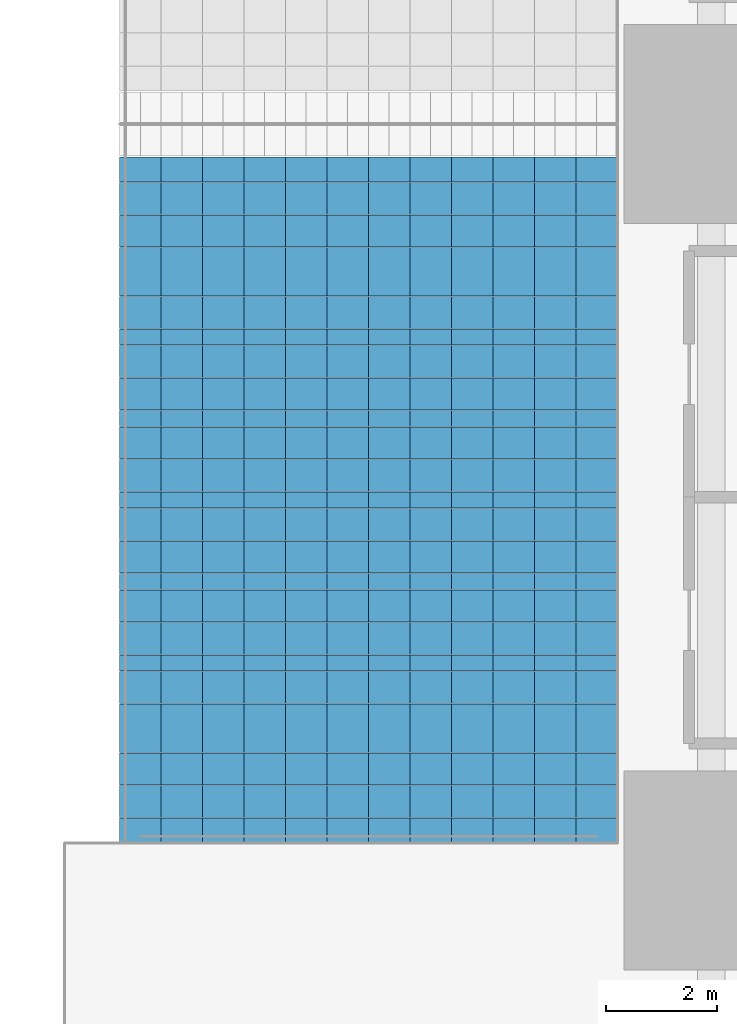
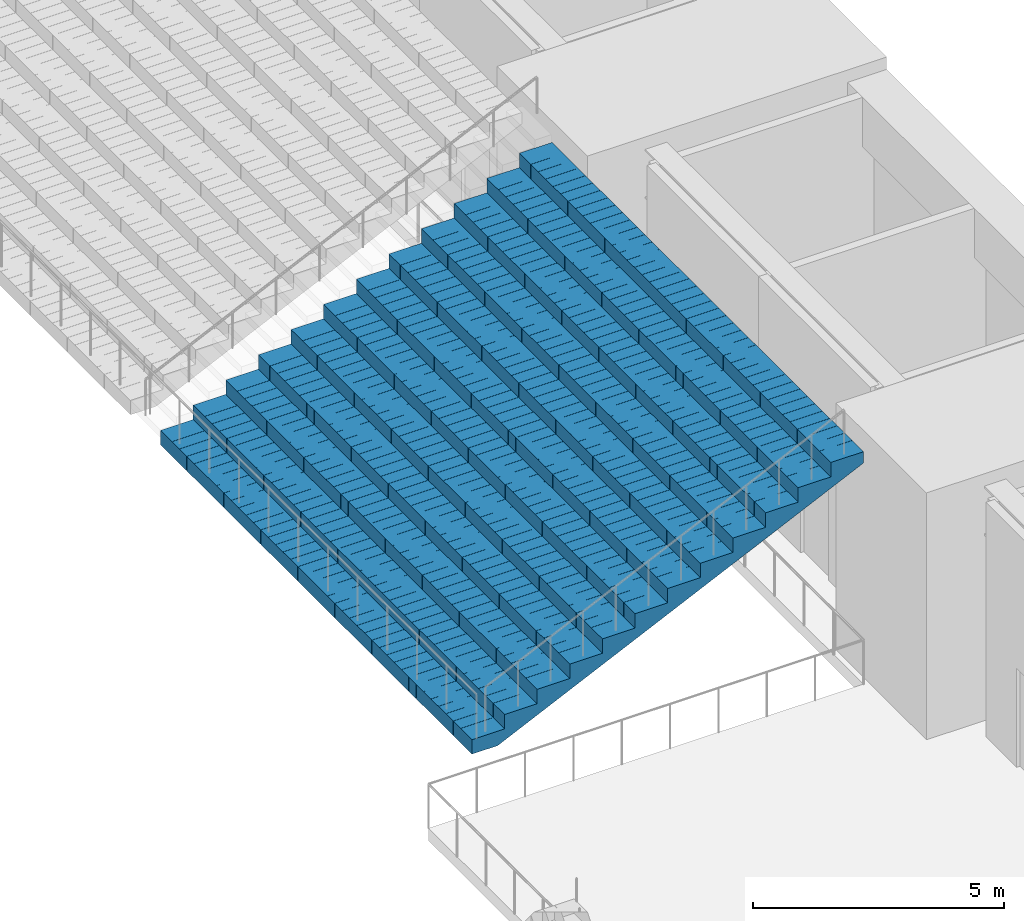
# One storey, part 24 of 61: 1 slab.
"""IFC4 building model written with IfcOpenShell, lengths in metres."""

from ifc_helpers import new_model, si_unit, direction, frame, origin, place, context, subcontext, project, spatial, polyline, outline, extrude, material, layer, layer_set, type_object, element, save


model = new_model("IFC4")

# Units and contexts
model_context = context("Model", 3, precision=1e-05, world=origin(), true_north=direction((0.0, 1.0)))
body_context = subcontext(model_context, "Body", "Model", "MODEL_VIEW")
ifc_project = project(units=[si_unit("LENGTHUNIT", "METRE"), si_unit("AREAUNIT", "SQUARE_METRE"), si_unit("VOLUMEUNIT", "CUBIC_METRE"), si_unit("PLANEANGLEUNIT", "RADIAN"), si_unit("MASSUNIT", "GRAM", prefix="KILO")], contexts=[model_context])

# Site, building, storey
site_placement = place(None, origin())
site = spatial("IfcSite", under=ifc_project, at=site_placement, CompositionType="ELEMENT")
building_placement = place(site_placement, origin())
building = spatial("IfcBuilding", under=site, at=building_placement, Name="Corbelhall Arena Tower", CompositionType="ELEMENT")
storey_placement = place(building_placement, frame((0.0, 0.0, 31.0)))
storey = spatial("IfcBuildingStorey", under=building, at=storey_placement, Name="L04", CompositionType="ELEMENT", Elevation=31.0)

# Slab
ifc_material = material(Name="Precast concrete C40/50", Category="concrete")
ifc_layer = layer(ifc_material, 0.25)
ifc_layer_set = layer_set([ifc_layer], Name="AR-TIER-RAKED")
slab_type = type_object("IfcSlabType", Name="AR-TIER-RAKED", PredefinedType="FLOOR", material=ifc_layer_set)
slab_placement = place(storey_placement, frame((32.0, -6.800048828125, 1.449951171875), z_axis=(0.0, 0.0, 1.0), x_axis=(1.0, 0.0, 0.0)))
element("IfcSlab", 1, at=slab_placement, inside=storey, type_object=slab_type, Name="Tier section UEA", PredefinedType="FLOOR", context=body_context, shape_type="SweptSolid", body=[
    extrude(outline(polyline([(0.0, 0.0), (0.0, 0.35009765625), (0.75, 0.35009765625), (0.75, 0.699951171875), (1.5, 0.699951171875), (1.5, 1.050048828125), (2.25, 1.050048828125), (2.25, 1.39990234375), (3.0, 1.39990234375), (3.0, 1.75), (3.75, 1.75), (3.75, 2.10009765625), (4.5, 2.10009765625), (4.5, 2.449951171875), (5.25, 2.449951171875), (5.25, 2.800048828125), (6.0, 2.800048828125), (6.0, 3.14990234375), (6.75, 3.14990234375), (6.75, 3.5), (7.5, 3.5), (7.5, 3.85009765625), (8.25, 3.85009765625), (8.25, 4.199951171875), (9.0, 4.199951171875), (9.0, 4.550048828125), (9.0, 3.924072265625), (0.591064453125, 0.0), (0.0, 0.0)])), frame((0.0, 6.199951171875, 0.0), z_axis=(0.0, -1.0, 0.0), x_axis=(1.0, 0.0, 0.0)), (0.0, 0.0, 1.0), 0.449951171875),
    extrude(outline(polyline([(0.0, 0.0), (0.0, 0.35009765625), (0.75, 0.35009765625), (0.75, 0.699951171875), (1.5, 0.699951171875), (1.5, 1.050048828125), (2.25, 1.050048828125), (2.25, 1.39990234375), (3.0, 1.39990234375), (3.0, 1.75), (3.75, 1.75), (3.75, 2.10009765625), (4.5, 2.10009765625), (4.5, 2.449951171875), (5.25, 2.449951171875), (5.25, 2.800048828125), (6.0, 2.800048828125), (6.0, 3.14990234375), (6.75, 3.14990234375), (6.75, 3.5), (7.5, 3.5), (7.5, 3.85009765625), (8.25, 3.85009765625), (8.25, 4.199951171875), (9.0, 4.199951171875), (9.0, 4.550048828125), (9.0, 3.924072265625), (0.591064453125, 0.0), (0.0, 0.0)])), frame((0.0, 5.745849609375, 0.0), z_axis=(0.0, -1.0, 0.0), x_axis=(1.0, 0.0, 0.0)), (0.0, 0.0, 1.0), 0.290771484375),
    extrude(outline(polyline([(0.0, 0.0), (0.0, 0.35009765625), (0.75, 0.35009765625), (0.75, 0.699951171875), (1.5, 0.699951171875), (1.5, 1.050048828125), (2.25, 1.050048828125), (2.25, 1.39990234375), (3.0, 1.39990234375), (3.0, 1.75), (3.75, 1.75), (3.75, 2.10009765625), (4.5, 2.10009765625), (4.5, 2.449951171875), (5.25, 2.449951171875), (5.25, 2.800048828125), (6.0, 2.800048828125), (6.0, 3.14990234375), (6.75, 3.14990234375), (6.75, 3.5), (7.5, 3.5), (7.5, 3.85009765625), (8.25, 3.85009765625), (8.25, 4.199951171875), (9.0, 4.199951171875), (9.0, 4.550048828125), (9.0, 3.924072265625), (0.591064453125, 0.0), (0.0, 0.0)])), frame((0.0, 5.451171875, 0.0), z_axis=(0.0, -1.0, 0.0), x_axis=(1.0, 0.0, 0.0)), (0.0, 0.0, 1.0), 0.290771484375),
    extrude(outline(polyline([(0.0, 0.0), (0.0, 0.35009765625), (0.75, 0.35009765625), (0.75, 0.699951171875), (1.5, 0.699951171875), (1.5, 1.050048828125), (2.25, 1.050048828125), (2.25, 1.39990234375), (3.0, 1.39990234375), (3.0, 1.75), (3.75, 1.75), (3.75, 2.10009765625), (4.5, 2.10009765625), (4.5, 2.449951171875), (5.25, 2.449951171875), (5.25, 2.800048828125), (6.0, 2.800048828125), (6.0, 3.14990234375), (6.75, 3.14990234375), (6.75, 3.5), (7.5, 3.5), (7.5, 3.85009765625), (8.25, 3.85009765625), (8.25, 4.199951171875), (9.0, 4.199951171875), (9.0, 4.550048828125), (9.0, 3.924072265625), (0.591064453125, 0.0), (0.0, 0.0)])), frame((0.0, 5.156494140625, 0.0), z_axis=(0.0, -1.0, 0.0), x_axis=(1.0, 0.0, 0.0)), (0.0, 0.0, 1.0), 0.290771484375),
    extrude(outline(polyline([(0.0, 0.0), (0.0, 0.35009765625), (0.75, 0.35009765625), (0.75, 0.699951171875), (1.5, 0.699951171875), (1.5, 1.050048828125), (2.25, 1.050048828125), (2.25, 1.39990234375), (3.0, 1.39990234375), (3.0, 1.75), (3.75, 1.75), (3.75, 2.10009765625), (4.5, 2.10009765625), (4.5, 2.449951171875), (5.25, 2.449951171875), (5.25, 2.800048828125), (6.0, 2.800048828125), (6.0, 3.14990234375), (6.75, 3.14990234375), (6.75, 3.5), (7.5, 3.5), (7.5, 3.85009765625), (8.25, 3.85009765625), (8.25, 4.199951171875), (9.0, 4.199951171875), (9.0, 4.550048828125), (9.0, 3.924072265625), (0.591064453125, 0.0), (0.0, 0.0)])), frame((0.0, 4.861572265625, 0.0), z_axis=(0.0, -1.0, 0.0), x_axis=(1.0, 0.0, 0.0)), (0.0, 0.0, 1.0), 0.290771484375),
    extrude(outline(polyline([(0.0, 0.0), (0.0, 0.35009765625), (0.75, 0.35009765625), (0.75, 0.699951171875), (1.5, 0.699951171875), (1.5, 1.050048828125), (2.25, 1.050048828125), (2.25, 1.39990234375), (3.0, 1.39990234375), (3.0, 1.75), (3.75, 1.75), (3.75, 2.10009765625), (4.5, 2.10009765625), (4.5, 2.449951171875), (5.25, 2.449951171875), (5.25, 2.800048828125), (6.0, 2.800048828125), (6.0, 3.14990234375), (6.75, 3.14990234375), (6.75, 3.5), (7.5, 3.5), (7.5, 3.85009765625), (8.25, 3.85009765625), (8.25, 4.199951171875), (9.0, 4.199951171875), (9.0, 4.550048828125), (9.0, 3.924072265625), (0.591064453125, 0.0), (0.0, 0.0)])), frame((0.0, 4.56689453125, 0.0), z_axis=(0.0, -1.0, 0.0), x_axis=(1.0, 0.0, 0.0)), (0.0, 0.0, 1.0), 0.290771484375),
    extrude(outline(polyline([(0.0, 0.0), (0.0, 0.35009765625), (0.75, 0.35009765625), (0.75, 0.699951171875), (1.5, 0.699951171875), (1.5, 1.050048828125), (2.25, 1.050048828125), (2.25, 1.39990234375), (3.0, 1.39990234375), (3.0, 1.75), (3.75, 1.75), (3.75, 2.10009765625), (4.5, 2.10009765625), (4.5, 2.449951171875), (5.25, 2.449951171875), (5.25, 2.800048828125), (6.0, 2.800048828125), (6.0, 3.14990234375), (6.75, 3.14990234375), (6.75, 3.5), (7.5, 3.5), (7.5, 3.85009765625), (8.25, 3.85009765625), (8.25, 4.199951171875), (9.0, 4.199951171875), (9.0, 4.550048828125), (9.0, 3.924072265625), (0.591064453125, 0.0), (0.0, 0.0)])), frame((0.0, 4.272216796875, 0.0), z_axis=(0.0, -1.0, 0.0), x_axis=(1.0, 0.0, 0.0)), (0.0, 0.0, 1.0), 0.290771484375),
    extrude(outline(polyline([(0.0, 0.0), (0.0, 0.35009765625), (0.75, 0.35009765625), (0.75, 0.699951171875), (1.5, 0.699951171875), (1.5, 1.050048828125), (2.25, 1.050048828125), (2.25, 1.39990234375), (3.0, 1.39990234375), (3.0, 1.75), (3.75, 1.75), (3.75, 2.10009765625), (4.5, 2.10009765625), (4.5, 2.449951171875), (5.25, 2.449951171875), (5.25, 2.800048828125), (6.0, 2.800048828125), (6.0, 3.14990234375), (6.75, 3.14990234375), (6.75, 3.5), (7.5, 3.5), (7.5, 3.85009765625), (8.25, 3.85009765625), (8.25, 4.199951171875), (9.0, 4.199951171875), (9.0, 4.550048828125), (9.0, 3.924072265625), (0.591064453125, 0.0), (0.0, 0.0)])), frame((0.0, 3.977294921875, 0.0), z_axis=(0.0, -1.0, 0.0), x_axis=(1.0, 0.0, 0.0)), (0.0, 0.0, 1.0), 0.290771484375),
    extrude(outline(polyline([(0.0, 0.0), (0.0, 0.35009765625), (0.75, 0.35009765625), (0.75, 0.699951171875), (1.5, 0.699951171875), (1.5, 1.050048828125), (2.25, 1.050048828125), (2.25, 1.39990234375), (3.0, 1.39990234375), (3.0, 1.75), (3.75, 1.75), (3.75, 2.10009765625), (4.5, 2.10009765625), (4.5, 2.449951171875), (5.25, 2.449951171875), (5.25, 2.800048828125), (6.0, 2.800048828125), (6.0, 3.14990234375), (6.75, 3.14990234375), (6.75, 3.5), (7.5, 3.5), (7.5, 3.85009765625), (8.25, 3.85009765625), (8.25, 4.199951171875), (9.0, 4.199951171875), (9.0, 4.550048828125), (9.0, 3.924072265625), (0.591064453125, 0.0), (0.0, 0.0)])), frame((0.0, 3.6826171875, 0.0), z_axis=(0.0, -1.0, 0.0), x_axis=(1.0, 0.0, 0.0)), (0.0, 0.0, 1.0), 0.290771484375),
    extrude(outline(polyline([(0.0, 0.0), (0.0, 0.35009765625), (0.75, 0.35009765625), (0.75, 0.699951171875), (1.5, 0.699951171875), (1.5, 1.050048828125), (2.25, 1.050048828125), (2.25, 1.39990234375), (3.0, 1.39990234375), (3.0, 1.75), (3.75, 1.75), (3.75, 2.10009765625), (4.5, 2.10009765625), (4.5, 2.449951171875), (5.25, 2.449951171875), (5.25, 2.800048828125), (6.0, 2.800048828125), (6.0, 3.14990234375), (6.75, 3.14990234375), (6.75, 3.5), (7.5, 3.5), (7.5, 3.85009765625), (8.25, 3.85009765625), (8.25, 4.199951171875), (9.0, 4.199951171875), (9.0, 4.550048828125), (9.0, 3.924072265625), (0.591064453125, 0.0), (0.0, 0.0)])), frame((0.0, 3.3876953125, 0.0), z_axis=(0.0, -1.0, 0.0), x_axis=(1.0, 0.0, 0.0)), (0.0, 0.0, 1.0), 0.290771484375),
    extrude(outline(polyline([(0.0, 0.0), (0.0, 0.35009765625), (0.75, 0.35009765625), (0.75, 0.699951171875), (1.5, 0.699951171875), (1.5, 1.050048828125), (2.25, 1.050048828125), (2.25, 1.39990234375), (3.0, 1.39990234375), (3.0, 1.75), (3.75, 1.75), (3.75, 2.10009765625), (4.5, 2.10009765625), (4.5, 2.449951171875), (5.25, 2.449951171875), (5.25, 2.800048828125), (6.0, 2.800048828125), (6.0, 3.14990234375), (6.75, 3.14990234375), (6.75, 3.5), (7.5, 3.5), (7.5, 3.85009765625), (8.25, 3.85009765625), (8.25, 4.199951171875), (9.0, 4.199951171875), (9.0, 4.550048828125), (9.0, 3.924072265625), (0.591064453125, 0.0), (0.0, 0.0)])), frame((0.0, 3.093017578125, 0.0), z_axis=(0.0, -1.0, 0.0), x_axis=(1.0, 0.0, 0.0)), (0.0, 0.0, 1.0), 0.290771484375),
    extrude(outline(polyline([(0.0, 0.0), (0.0, 0.35009765625), (0.75, 0.35009765625), (0.75, 0.699951171875), (1.5, 0.699951171875), (1.5, 1.050048828125), (2.25, 1.050048828125), (2.25, 1.39990234375), (3.0, 1.39990234375), (3.0, 1.75), (3.75, 1.75), (3.75, 2.10009765625), (4.5, 2.10009765625), (4.5, 2.449951171875), (5.25, 2.449951171875), (5.25, 2.800048828125), (6.0, 2.800048828125), (6.0, 3.14990234375), (6.75, 3.14990234375), (6.75, 3.5), (7.5, 3.5), (7.5, 3.85009765625), (8.25, 3.85009765625), (8.25, 4.199951171875), (9.0, 4.199951171875), (9.0, 4.550048828125), (9.0, 3.924072265625), (0.591064453125, 0.0), (0.0, 0.0)])), frame((0.0, 2.79833984375, 0.0), z_axis=(0.0, -1.0, 0.0), x_axis=(1.0, 0.0, 0.0)), (0.0, 0.0, 1.0), 0.290771484375),
    extrude(outline(polyline([(0.0, 0.0), (0.0, 0.35009765625), (0.75, 0.35009765625), (0.75, 0.699951171875), (1.5, 0.699951171875), (1.5, 1.050048828125), (2.25, 1.050048828125), (2.25, 1.39990234375), (3.0, 1.39990234375), (3.0, 1.75), (3.75, 1.75), (3.75, 2.10009765625), (4.5, 2.10009765625), (4.5, 2.449951171875), (5.25, 2.449951171875), (5.25, 2.800048828125), (6.0, 2.800048828125), (6.0, 3.14990234375), (6.75, 3.14990234375), (6.75, 3.5), (7.5, 3.5), (7.5, 3.85009765625), (8.25, 3.85009765625), (8.25, 4.199951171875), (9.0, 4.199951171875), (9.0, 4.550048828125), (9.0, 3.924072265625), (0.591064453125, 0.0), (0.0, 0.0)])), frame((0.0, 2.50341796875, 0.0), z_axis=(0.0, -1.0, 0.0), x_axis=(1.0, 0.0, 0.0)), (0.0, 0.0, 1.0), 0.290771484375),
    extrude(outline(polyline([(0.0, 0.0), (0.0, 0.35009765625), (0.75, 0.35009765625), (0.75, 0.699951171875), (1.5, 0.699951171875), (1.5, 1.050048828125), (2.25, 1.050048828125), (2.25, 1.39990234375), (3.0, 1.39990234375), (3.0, 1.75), (3.75, 1.75), (3.75, 2.10009765625), (4.5, 2.10009765625), (4.5, 2.449951171875), (5.25, 2.449951171875), (5.25, 2.800048828125), (6.0, 2.800048828125), (6.0, 3.14990234375), (6.75, 3.14990234375), (6.75, 3.5), (7.5, 3.5), (7.5, 3.85009765625), (8.25, 3.85009765625), (8.25, 4.199951171875), (9.0, 4.199951171875), (9.0, 4.550048828125), (9.0, 3.924072265625), (0.591064453125, 0.0), (0.0, 0.0)])), frame((0.0, 2.208740234375, 0.0), z_axis=(0.0, -1.0, 0.0), x_axis=(1.0, 0.0, 0.0)), (0.0, 0.0, 1.0), 0.290771484375),
    extrude(outline(polyline([(0.0, 0.0), (0.0, 0.35009765625), (0.75, 0.35009765625), (0.75, 0.699951171875), (1.5, 0.699951171875), (1.5, 1.050048828125), (2.25, 1.050048828125), (2.25, 1.39990234375), (3.0, 1.39990234375), (3.0, 1.75), (3.75, 1.75), (3.75, 2.10009765625), (4.5, 2.10009765625), (4.5, 2.449951171875), (5.25, 2.449951171875), (5.25, 2.800048828125), (6.0, 2.800048828125), (6.0, 3.14990234375), (6.75, 3.14990234375), (6.75, 3.5), (7.5, 3.5), (7.5, 3.85009765625), (8.25, 3.85009765625), (8.25, 4.199951171875), (9.0, 4.199951171875), (9.0, 4.550048828125), (9.0, 3.924072265625), (0.591064453125, 0.0), (0.0, 0.0)])), frame((0.0, 1.9140625, 0.0), z_axis=(0.0, -1.0, 0.0), x_axis=(1.0, 0.0, 0.0)), (0.0, 0.0, 1.0), 0.290771484375),
    extrude(outline(polyline([(0.0, 0.0), (0.0, 0.35009765625), (0.75, 0.35009765625), (0.75, 0.699951171875), (1.5, 0.699951171875), (1.5, 1.050048828125), (2.25, 1.050048828125), (2.25, 1.39990234375), (3.0, 1.39990234375), (3.0, 1.75), (3.75, 1.75), (3.75, 2.10009765625), (4.5, 2.10009765625), (4.5, 2.449951171875), (5.25, 2.449951171875), (5.25, 2.800048828125), (6.0, 2.800048828125), (6.0, 3.14990234375), (6.75, 3.14990234375), (6.75, 3.5), (7.5, 3.5), (7.5, 3.85009765625), (8.25, 3.85009765625), (8.25, 4.199951171875), (9.0, 4.199951171875), (9.0, 4.550048828125), (9.0, 3.924072265625), (0.591064453125, 0.0), (0.0, 0.0)])), frame((0.0, 1.619140625, 0.0), z_axis=(0.0, -1.0, 0.0), x_axis=(1.0, 0.0, 0.0)), (0.0, 0.0, 1.0), 0.290771484375),
    extrude(outline(polyline([(0.0, 0.0), (0.0, 0.35009765625), (0.75, 0.35009765625), (0.75, 0.699951171875), (1.5, 0.699951171875), (1.5, 1.050048828125), (2.25, 1.050048828125), (2.25, 1.39990234375), (3.0, 1.39990234375), (3.0, 1.75), (3.75, 1.75), (3.75, 2.10009765625), (4.5, 2.10009765625), (4.5, 2.449951171875), (5.25, 2.449951171875), (5.25, 2.800048828125), (6.0, 2.800048828125), (6.0, 3.14990234375), (6.75, 3.14990234375), (6.75, 3.5), (7.5, 3.5), (7.5, 3.85009765625), (8.25, 3.85009765625), (8.25, 4.199951171875), (9.0, 4.199951171875), (9.0, 4.550048828125), (9.0, 3.924072265625), (0.591064453125, 0.0), (0.0, 0.0)])), frame((0.0, 1.324462890625, 0.0), z_axis=(0.0, -1.0, 0.0), x_axis=(1.0, 0.0, 0.0)), (0.0, 0.0, 1.0), 0.290771484375),
    extrude(outline(polyline([(0.0, 0.0), (0.0, 0.35009765625), (0.75, 0.35009765625), (0.75, 0.699951171875), (1.5, 0.699951171875), (1.5, 1.050048828125), (2.25, 1.050048828125), (2.25, 1.39990234375), (3.0, 1.39990234375), (3.0, 1.75), (3.75, 1.75), (3.75, 2.10009765625), (4.5, 2.10009765625), (4.5, 2.449951171875), (5.25, 2.449951171875), (5.25, 2.800048828125), (6.0, 2.800048828125), (6.0, 3.14990234375), (6.75, 3.14990234375), (6.75, 3.5), (7.5, 3.5), (7.5, 3.85009765625), (8.25, 3.85009765625), (8.25, 4.199951171875), (9.0, 4.199951171875), (9.0, 4.550048828125), (9.0, 3.924072265625), (0.591064453125, 0.0), (0.0, 0.0)])), frame((0.0, 1.02978515625, 0.0), z_axis=(0.0, -1.0, 0.0), x_axis=(1.0, 0.0, 0.0)), (0.0, 0.0, 1.0), 0.290771484375),
    extrude(outline(polyline([(0.0, 0.0), (0.0, 0.35009765625), (0.75, 0.35009765625), (0.75, 0.699951171875), (1.5, 0.699951171875), (1.5, 1.050048828125), (2.25, 1.050048828125), (2.25, 1.39990234375), (3.0, 1.39990234375), (3.0, 1.75), (3.75, 1.75), (3.75, 2.10009765625), (4.5, 2.10009765625), (4.5, 2.449951171875), (5.25, 2.449951171875), (5.25, 2.800048828125), (6.0, 2.800048828125), (6.0, 3.14990234375), (6.75, 3.14990234375), (6.75, 3.5), (7.5, 3.5), (7.5, 3.85009765625), (8.25, 3.85009765625), (8.25, 4.199951171875), (9.0, 4.199951171875), (9.0, 4.550048828125), (9.0, 3.924072265625), (0.591064453125, 0.0), (0.0, 0.0)])), frame((0.0, 0.73486328125, 0.0), z_axis=(0.0, -1.0, 0.0), x_axis=(1.0, 0.0, 0.0)), (0.0, 0.0, 1.0), 0.290771484375),
    extrude(outline(polyline([(0.0, 0.0), (0.0, 0.35009765625), (0.75, 0.35009765625), (0.75, 0.699951171875), (1.5, 0.699951171875), (1.5, 1.050048828125), (2.25, 1.050048828125), (2.25, 1.39990234375), (3.0, 1.39990234375), (3.0, 1.75), (3.75, 1.75), (3.75, 2.10009765625), (4.5, 2.10009765625), (4.5, 2.449951171875), (5.25, 2.449951171875), (5.25, 2.800048828125), (6.0, 2.800048828125), (6.0, 3.14990234375), (6.75, 3.14990234375), (6.75, 3.5), (7.5, 3.5), (7.5, 3.85009765625), (8.25, 3.85009765625), (8.25, 4.199951171875), (9.0, 4.199951171875), (9.0, 4.550048828125), (9.0, 3.924072265625), (0.591064453125, 0.0), (0.0, 0.0)])), frame((0.0, 0.440185546875, 0.0), z_axis=(0.0, -1.0, 0.0), x_axis=(1.0, 0.0, 0.0)), (0.0, 0.0, 1.0), 0.290771484375),
    extrude(outline(polyline([(0.0, 0.0), (0.0, 0.35009765625), (0.75, 0.35009765625), (0.75, 0.699951171875), (1.5, 0.699951171875), (1.5, 1.050048828125), (2.25, 1.050048828125), (2.25, 1.39990234375), (3.0, 1.39990234375), (3.0, 1.75), (3.75, 1.75), (3.75, 2.10009765625), (4.5, 2.10009765625), (4.5, 2.449951171875), (5.25, 2.449951171875), (5.25, 2.800048828125), (6.0, 2.800048828125), (6.0, 3.14990234375), (6.75, 3.14990234375), (6.75, 3.5), (7.5, 3.5), (7.5, 3.85009765625), (8.25, 3.85009765625), (8.25, 4.199951171875), (9.0, 4.199951171875), (9.0, 4.550048828125), (9.0, 3.924072265625), (0.591064453125, 0.0), (0.0, 0.0)])), frame((0.0, 0.145263671875, 0.0), z_axis=(0.0, -1.0, 0.0), x_axis=(1.0, 0.0, 0.0)), (0.0, 0.0, 1.0), 0.290771484375),
    extrude(outline(polyline([(0.0, 0.0), (0.0, 0.35009765625), (0.75, 0.35009765625), (0.75, 0.699951171875), (1.5, 0.699951171875), (1.5, 1.050048828125), (2.25, 1.050048828125), (2.25, 1.39990234375), (3.0, 1.39990234375), (3.0, 1.75), (3.75, 1.75), (3.75, 2.10009765625), (4.5, 2.10009765625), (4.5, 2.449951171875), (5.25, 2.449951171875), (5.25, 2.800048828125), (6.0, 2.800048828125), (6.0, 3.14990234375), (6.75, 3.14990234375), (6.75, 3.5), (7.5, 3.5), (7.5, 3.85009765625), (8.25, 3.85009765625), (8.25, 4.199951171875), (9.0, 4.199951171875), (9.0, 4.550048828125), (9.0, 3.924072265625), (0.591064453125, 0.0), (0.0, 0.0)])), frame((0.0, -0.1494140625, 0.0), z_axis=(0.0, -1.0, 0.0), x_axis=(1.0, 0.0, 0.0)), (0.0, 0.0, 1.0), 0.290771484375),
    extrude(outline(polyline([(0.0, 0.0), (0.0, 0.35009765625), (0.75, 0.35009765625), (0.75, 0.699951171875), (1.5, 0.699951171875), (1.5, 1.050048828125), (2.25, 1.050048828125), (2.25, 1.39990234375), (3.0, 1.39990234375), (3.0, 1.75), (3.75, 1.75), (3.75, 2.10009765625), (4.5, 2.10009765625), (4.5, 2.449951171875), (5.25, 2.449951171875), (5.25, 2.800048828125), (6.0, 2.800048828125), (6.0, 3.14990234375), (6.75, 3.14990234375), (6.75, 3.5), (7.5, 3.5), (7.5, 3.85009765625), (8.25, 3.85009765625), (8.25, 4.199951171875), (9.0, 4.199951171875), (9.0, 4.550048828125), (9.0, 3.924072265625), (0.591064453125, 0.0), (0.0, 0.0)])), frame((0.0, -0.444091796875, 0.0), z_axis=(0.0, -1.0, 0.0), x_axis=(1.0, 0.0, 0.0)), (0.0, 0.0, 1.0), 0.290771484375),
    extrude(outline(polyline([(0.0, 0.0), (0.0, 0.35009765625), (0.75, 0.35009765625), (0.75, 0.699951171875), (1.5, 0.699951171875), (1.5, 1.050048828125), (2.25, 1.050048828125), (2.25, 1.39990234375), (3.0, 1.39990234375), (3.0, 1.75), (3.75, 1.75), (3.75, 2.10009765625), (4.5, 2.10009765625), (4.5, 2.449951171875), (5.25, 2.449951171875), (5.25, 2.800048828125), (6.0, 2.800048828125), (6.0, 3.14990234375), (6.75, 3.14990234375), (6.75, 3.5), (7.5, 3.5), (7.5, 3.85009765625), (8.25, 3.85009765625), (8.25, 4.199951171875), (9.0, 4.199951171875), (9.0, 4.550048828125), (9.0, 3.924072265625), (0.591064453125, 0.0), (0.0, 0.0)])), frame((0.0, -0.739013671875, 0.0), z_axis=(0.0, -1.0, 0.0), x_axis=(1.0, 0.0, 0.0)), (0.0, 0.0, 1.0), 0.290771484375),
    extrude(outline(polyline([(0.0, 0.0), (0.0, 0.35009765625), (0.75, 0.35009765625), (0.75, 0.699951171875), (1.5, 0.699951171875), (1.5, 1.050048828125), (2.25, 1.050048828125), (2.25, 1.39990234375), (3.0, 1.39990234375), (3.0, 1.75), (3.75, 1.75), (3.75, 2.10009765625), (4.5, 2.10009765625), (4.5, 2.449951171875), (5.25, 2.449951171875), (5.25, 2.800048828125), (6.0, 2.800048828125), (6.0, 3.14990234375), (6.75, 3.14990234375), (6.75, 3.5), (7.5, 3.5), (7.5, 3.85009765625), (8.25, 3.85009765625), (8.25, 4.199951171875), (9.0, 4.199951171875), (9.0, 4.550048828125), (9.0, 3.924072265625), (0.591064453125, 0.0), (0.0, 0.0)])), frame((0.0, -1.03369140625, 0.0), z_axis=(0.0, -1.0, 0.0), x_axis=(1.0, 0.0, 0.0)), (0.0, 0.0, 1.0), 0.290771484375),
    extrude(outline(polyline([(0.0, 0.0), (0.0, 0.35009765625), (0.75, 0.35009765625), (0.75, 0.699951171875), (1.5, 0.699951171875), (1.5, 1.050048828125), (2.25, 1.050048828125), (2.25, 1.39990234375), (3.0, 1.39990234375), (3.0, 1.75), (3.75, 1.75), (3.75, 2.10009765625), (4.5, 2.10009765625), (4.5, 2.449951171875), (5.25, 2.449951171875), (5.25, 2.800048828125), (6.0, 2.800048828125), (6.0, 3.14990234375), (6.75, 3.14990234375), (6.75, 3.5), (7.5, 3.5), (7.5, 3.85009765625), (8.25, 3.85009765625), (8.25, 4.199951171875), (9.0, 4.199951171875), (9.0, 4.550048828125), (9.0, 3.924072265625), (0.591064453125, 0.0), (0.0, 0.0)])), frame((0.0, -1.328369140625, 0.0), z_axis=(0.0, -1.0, 0.0), x_axis=(1.0, 0.0, 0.0)), (0.0, 0.0, 1.0), 0.290771484375),
    extrude(outline(polyline([(0.0, 0.0), (0.0, 0.35009765625), (0.75, 0.35009765625), (0.75, 0.699951171875), (1.5, 0.699951171875), (1.5, 1.050048828125), (2.25, 1.050048828125), (2.25, 1.39990234375), (3.0, 1.39990234375), (3.0, 1.75), (3.75, 1.75), (3.75, 2.10009765625), (4.5, 2.10009765625), (4.5, 2.449951171875), (5.25, 2.449951171875), (5.25, 2.800048828125), (6.0, 2.800048828125), (6.0, 3.14990234375), (6.75, 3.14990234375), (6.75, 3.5), (7.5, 3.5), (7.5, 3.85009765625), (8.25, 3.85009765625), (8.25, 4.199951171875), (9.0, 4.199951171875), (9.0, 4.550048828125), (9.0, 3.924072265625), (0.591064453125, 0.0), (0.0, 0.0)])), frame((0.0, -1.623291015625, 0.0), z_axis=(0.0, -1.0, 0.0), x_axis=(1.0, 0.0, 0.0)), (0.0, 0.0, 1.0), 0.290771484375),
    extrude(outline(polyline([(0.0, 0.0), (0.0, 0.35009765625), (0.75, 0.35009765625), (0.75, 0.699951171875), (1.5, 0.699951171875), (1.5, 1.050048828125), (2.25, 1.050048828125), (2.25, 1.39990234375), (3.0, 1.39990234375), (3.0, 1.75), (3.75, 1.75), (3.75, 2.10009765625), (4.5, 2.10009765625), (4.5, 2.449951171875), (5.25, 2.449951171875), (5.25, 2.800048828125), (6.0, 2.800048828125), (6.0, 3.14990234375), (6.75, 3.14990234375), (6.75, 3.5), (7.5, 3.5), (7.5, 3.85009765625), (8.25, 3.85009765625), (8.25, 4.199951171875), (9.0, 4.199951171875), (9.0, 4.550048828125), (9.0, 3.924072265625), (0.591064453125, 0.0), (0.0, 0.0)])), frame((0.0, -1.91796875, 0.0), z_axis=(0.0, -1.0, 0.0), x_axis=(1.0, 0.0, 0.0)), (0.0, 0.0, 1.0), 0.290771484375),
    extrude(outline(polyline([(0.0, 0.0), (0.0, 0.35009765625), (0.75, 0.35009765625), (0.75, 0.699951171875), (1.5, 0.699951171875), (1.5, 1.050048828125), (2.25, 1.050048828125), (2.25, 1.39990234375), (3.0, 1.39990234375), (3.0, 1.75), (3.75, 1.75), (3.75, 2.10009765625), (4.5, 2.10009765625), (4.5, 2.449951171875), (5.25, 2.449951171875), (5.25, 2.800048828125), (6.0, 2.800048828125), (6.0, 3.14990234375), (6.75, 3.14990234375), (6.75, 3.5), (7.5, 3.5), (7.5, 3.85009765625), (8.25, 3.85009765625), (8.25, 4.199951171875), (9.0, 4.199951171875), (9.0, 4.550048828125), (9.0, 3.924072265625), (0.591064453125, 0.0), (0.0, 0.0)])), frame((0.0, -2.212646484375, 0.0), z_axis=(0.0, -1.0, 0.0), x_axis=(1.0, 0.0, 0.0)), (0.0, 0.0, 1.0), 0.290771484375),
    extrude(outline(polyline([(0.0, 0.0), (0.0, 0.35009765625), (0.75, 0.35009765625), (0.75, 0.699951171875), (1.5, 0.699951171875), (1.5, 1.050048828125), (2.25, 1.050048828125), (2.25, 1.39990234375), (3.0, 1.39990234375), (3.0, 1.75), (3.75, 1.75), (3.75, 2.10009765625), (4.5, 2.10009765625), (4.5, 2.449951171875), (5.25, 2.449951171875), (5.25, 2.800048828125), (6.0, 2.800048828125), (6.0, 3.14990234375), (6.75, 3.14990234375), (6.75, 3.5), (7.5, 3.5), (7.5, 3.85009765625), (8.25, 3.85009765625), (8.25, 4.199951171875), (9.0, 4.199951171875), (9.0, 4.550048828125), (9.0, 3.924072265625), (0.591064453125, 0.0), (0.0, 0.0)])), frame((0.0, -2.507568359375, 0.0), z_axis=(0.0, -1.0, 0.0), x_axis=(1.0, 0.0, 0.0)), (0.0, 0.0, 1.0), 0.290771484375),
    extrude(outline(polyline([(0.0, 0.0), (0.0, 0.35009765625), (0.75, 0.35009765625), (0.75, 0.699951171875), (1.5, 0.699951171875), (1.5, 1.050048828125), (2.25, 1.050048828125), (2.25, 1.39990234375), (3.0, 1.39990234375), (3.0, 1.75), (3.75, 1.75), (3.75, 2.10009765625), (4.5, 2.10009765625), (4.5, 2.449951171875), (5.25, 2.449951171875), (5.25, 2.800048828125), (6.0, 2.800048828125), (6.0, 3.14990234375), (6.75, 3.14990234375), (6.75, 3.5), (7.5, 3.5), (7.5, 3.85009765625), (8.25, 3.85009765625), (8.25, 4.199951171875), (9.0, 4.199951171875), (9.0, 4.550048828125), (9.0, 3.924072265625), (0.591064453125, 0.0), (0.0, 0.0)])), frame((0.0, -2.80224609375, 0.0), z_axis=(0.0, -1.0, 0.0), x_axis=(1.0, 0.0, 0.0)), (0.0, 0.0, 1.0), 0.290771484375),
    extrude(outline(polyline([(0.0, 0.0), (0.0, 0.35009765625), (0.75, 0.35009765625), (0.75, 0.699951171875), (1.5, 0.699951171875), (1.5, 1.050048828125), (2.25, 1.050048828125), (2.25, 1.39990234375), (3.0, 1.39990234375), (3.0, 1.75), (3.75, 1.75), (3.75, 2.10009765625), (4.5, 2.10009765625), (4.5, 2.449951171875), (5.25, 2.449951171875), (5.25, 2.800048828125), (6.0, 2.800048828125), (6.0, 3.14990234375), (6.75, 3.14990234375), (6.75, 3.5), (7.5, 3.5), (7.5, 3.85009765625), (8.25, 3.85009765625), (8.25, 4.199951171875), (9.0, 4.199951171875), (9.0, 4.550048828125), (9.0, 3.924072265625), (0.591064453125, 0.0), (0.0, 0.0)])), frame((0.0, -3.09716796875, 0.0), z_axis=(0.0, -1.0, 0.0), x_axis=(1.0, 0.0, 0.0)), (0.0, 0.0, 1.0), 0.290771484375),
    extrude(outline(polyline([(0.0, 0.0), (0.0, 0.35009765625), (0.75, 0.35009765625), (0.75, 0.699951171875), (1.5, 0.699951171875), (1.5, 1.050048828125), (2.25, 1.050048828125), (2.25, 1.39990234375), (3.0, 1.39990234375), (3.0, 1.75), (3.75, 1.75), (3.75, 2.10009765625), (4.5, 2.10009765625), (4.5, 2.449951171875), (5.25, 2.449951171875), (5.25, 2.800048828125), (6.0, 2.800048828125), (6.0, 3.14990234375), (6.75, 3.14990234375), (6.75, 3.5), (7.5, 3.5), (7.5, 3.85009765625), (8.25, 3.85009765625), (8.25, 4.199951171875), (9.0, 4.199951171875), (9.0, 4.550048828125), (9.0, 3.924072265625), (0.591064453125, 0.0), (0.0, 0.0)])), frame((0.0, -3.391845703125, 0.0), z_axis=(0.0, -1.0, 0.0), x_axis=(1.0, 0.0, 0.0)), (0.0, 0.0, 1.0), 0.290771484375),
    extrude(outline(polyline([(0.0, 0.0), (0.0, 0.35009765625), (0.75, 0.35009765625), (0.75, 0.699951171875), (1.5, 0.699951171875), (1.5, 1.050048828125), (2.25, 1.050048828125), (2.25, 1.39990234375), (3.0, 1.39990234375), (3.0, 1.75), (3.75, 1.75), (3.75, 2.10009765625), (4.5, 2.10009765625), (4.5, 2.449951171875), (5.25, 2.449951171875), (5.25, 2.800048828125), (6.0, 2.800048828125), (6.0, 3.14990234375), (6.75, 3.14990234375), (6.75, 3.5), (7.5, 3.5), (7.5, 3.85009765625), (8.25, 3.85009765625), (8.25, 4.199951171875), (9.0, 4.199951171875), (9.0, 4.550048828125), (9.0, 3.924072265625), (0.591064453125, 0.0), (0.0, 0.0)])), frame((0.0, -3.6865234375, 0.0), z_axis=(0.0, -1.0, 0.0), x_axis=(1.0, 0.0, 0.0)), (0.0, 0.0, 1.0), 0.290771484375),
    extrude(outline(polyline([(0.0, 0.0), (0.0, 0.35009765625), (0.75, 0.35009765625), (0.75, 0.699951171875), (1.5, 0.699951171875), (1.5, 1.050048828125), (2.25, 1.050048828125), (2.25, 1.39990234375), (3.0, 1.39990234375), (3.0, 1.75), (3.75, 1.75), (3.75, 2.10009765625), (4.5, 2.10009765625), (4.5, 2.449951171875), (5.25, 2.449951171875), (5.25, 2.800048828125), (6.0, 2.800048828125), (6.0, 3.14990234375), (6.75, 3.14990234375), (6.75, 3.5), (7.5, 3.5), (7.5, 3.85009765625), (8.25, 3.85009765625), (8.25, 4.199951171875), (9.0, 4.199951171875), (9.0, 4.550048828125), (9.0, 3.924072265625), (0.591064453125, 0.0), (0.0, 0.0)])), frame((0.0, -3.9814453125, 0.0), z_axis=(0.0, -1.0, 0.0), x_axis=(1.0, 0.0, 0.0)), (0.0, 0.0, 1.0), 0.290771484375),
    extrude(outline(polyline([(0.0, 0.0), (0.0, 0.35009765625), (0.75, 0.35009765625), (0.75, 0.699951171875), (1.5, 0.699951171875), (1.5, 1.050048828125), (2.25, 1.050048828125), (2.25, 1.39990234375), (3.0, 1.39990234375), (3.0, 1.75), (3.75, 1.75), (3.75, 2.10009765625), (4.5, 2.10009765625), (4.5, 2.449951171875), (5.25, 2.449951171875), (5.25, 2.800048828125), (6.0, 2.800048828125), (6.0, 3.14990234375), (6.75, 3.14990234375), (6.75, 3.5), (7.5, 3.5), (7.5, 3.85009765625), (8.25, 3.85009765625), (8.25, 4.199951171875), (9.0, 4.199951171875), (9.0, 4.550048828125), (9.0, 3.924072265625), (0.591064453125, 0.0), (0.0, 0.0)])), frame((0.0, -4.276123046875, 0.0), z_axis=(0.0, -1.0, 0.0), x_axis=(1.0, 0.0, 0.0)), (0.0, 0.0, 1.0), 0.290771484375),
    extrude(outline(polyline([(0.0, 0.0), (0.0, 0.35009765625), (0.75, 0.35009765625), (0.75, 0.699951171875), (1.5, 0.699951171875), (1.5, 1.050048828125), (2.25, 1.050048828125), (2.25, 1.39990234375), (3.0, 1.39990234375), (3.0, 1.75), (3.75, 1.75), (3.75, 2.10009765625), (4.5, 2.10009765625), (4.5, 2.449951171875), (5.25, 2.449951171875), (5.25, 2.800048828125), (6.0, 2.800048828125), (6.0, 3.14990234375), (6.75, 3.14990234375), (6.75, 3.5), (7.5, 3.5), (7.5, 3.85009765625), (8.25, 3.85009765625), (8.25, 4.199951171875), (9.0, 4.199951171875), (9.0, 4.550048828125), (9.0, 3.924072265625), (0.591064453125, 0.0), (0.0, 0.0)])), frame((0.0, -4.57080078125, 0.0), z_axis=(0.0, -1.0, 0.0), x_axis=(1.0, 0.0, 0.0)), (0.0, 0.0, 1.0), 0.290771484375),
    extrude(outline(polyline([(0.0, 0.0), (0.0, 0.35009765625), (0.75, 0.35009765625), (0.75, 0.699951171875), (1.5, 0.699951171875), (1.5, 1.050048828125), (2.25, 1.050048828125), (2.25, 1.39990234375), (3.0, 1.39990234375), (3.0, 1.75), (3.75, 1.75), (3.75, 2.10009765625), (4.5, 2.10009765625), (4.5, 2.449951171875), (5.25, 2.449951171875), (5.25, 2.800048828125), (6.0, 2.800048828125), (6.0, 3.14990234375), (6.75, 3.14990234375), (6.75, 3.5), (7.5, 3.5), (7.5, 3.85009765625), (8.25, 3.85009765625), (8.25, 4.199951171875), (9.0, 4.199951171875), (9.0, 4.550048828125), (9.0, 3.924072265625), (0.591064453125, 0.0), (0.0, 0.0)])), frame((0.0, -4.86572265625, 0.0), z_axis=(0.0, -1.0, 0.0), x_axis=(1.0, 0.0, 0.0)), (0.0, 0.0, 1.0), 0.290771484375),
    extrude(outline(polyline([(0.0, 0.0), (0.0, 0.35009765625), (0.75, 0.35009765625), (0.75, 0.699951171875), (1.5, 0.699951171875), (1.5, 1.050048828125), (2.25, 1.050048828125), (2.25, 1.39990234375), (3.0, 1.39990234375), (3.0, 1.75), (3.75, 1.75), (3.75, 2.10009765625), (4.5, 2.10009765625), (4.5, 2.449951171875), (5.25, 2.449951171875), (5.25, 2.800048828125), (6.0, 2.800048828125), (6.0, 3.14990234375), (6.75, 3.14990234375), (6.75, 3.5), (7.5, 3.5), (7.5, 3.85009765625), (8.25, 3.85009765625), (8.25, 4.199951171875), (9.0, 4.199951171875), (9.0, 4.550048828125), (9.0, 3.924072265625), (0.591064453125, 0.0), (0.0, 0.0)])), frame((0.0, -5.160400390625, 0.0), z_axis=(0.0, -1.0, 0.0), x_axis=(1.0, 0.0, 0.0)), (0.0, 0.0, 1.0), 0.290771484375),
    extrude(outline(polyline([(0.0, 0.0), (0.0, 0.35009765625), (0.75, 0.35009765625), (0.75, 0.699951171875), (1.5, 0.699951171875), (1.5, 1.050048828125), (2.25, 1.050048828125), (2.25, 1.39990234375), (3.0, 1.39990234375), (3.0, 1.75), (3.75, 1.75), (3.75, 2.10009765625), (4.5, 2.10009765625), (4.5, 2.449951171875), (5.25, 2.449951171875), (5.25, 2.800048828125), (6.0, 2.800048828125), (6.0, 3.14990234375), (6.75, 3.14990234375), (6.75, 3.5), (7.5, 3.5), (7.5, 3.85009765625), (8.25, 3.85009765625), (8.25, 4.199951171875), (9.0, 4.199951171875), (9.0, 4.550048828125), (9.0, 3.924072265625), (0.591064453125, 0.0), (0.0, 0.0)])), frame((0.0, -5.455078125, 0.0), z_axis=(0.0, -1.0, 0.0), x_axis=(1.0, 0.0, 0.0)), (0.0, 0.0, 1.0), 0.290771484375),
    extrude(outline(polyline([(0.0, 0.0), (0.0, 0.35009765625), (0.75, 0.35009765625), (0.75, 0.699951171875), (1.5, 0.699951171875), (1.5, 1.050048828125), (2.25, 1.050048828125), (2.25, 1.39990234375), (3.0, 1.39990234375), (3.0, 1.75), (3.75, 1.75), (3.75, 2.10009765625), (4.5, 2.10009765625), (4.5, 2.449951171875), (5.25, 2.449951171875), (5.25, 2.800048828125), (6.0, 2.800048828125), (6.0, 3.14990234375), (6.75, 3.14990234375), (6.75, 3.5), (7.5, 3.5), (7.5, 3.85009765625), (8.25, 3.85009765625), (8.25, 4.199951171875), (9.0, 4.199951171875), (9.0, 4.550048828125), (9.0, 3.924072265625), (0.591064453125, 0.0), (0.0, 0.0)])), frame((0.0, -5.75, 0.0), z_axis=(0.0, -1.0, 0.0), x_axis=(1.0, 0.0, 0.0)), (0.0, 0.0, 1.0), 0.449951171875),
])

save(model, "model.ifc")
